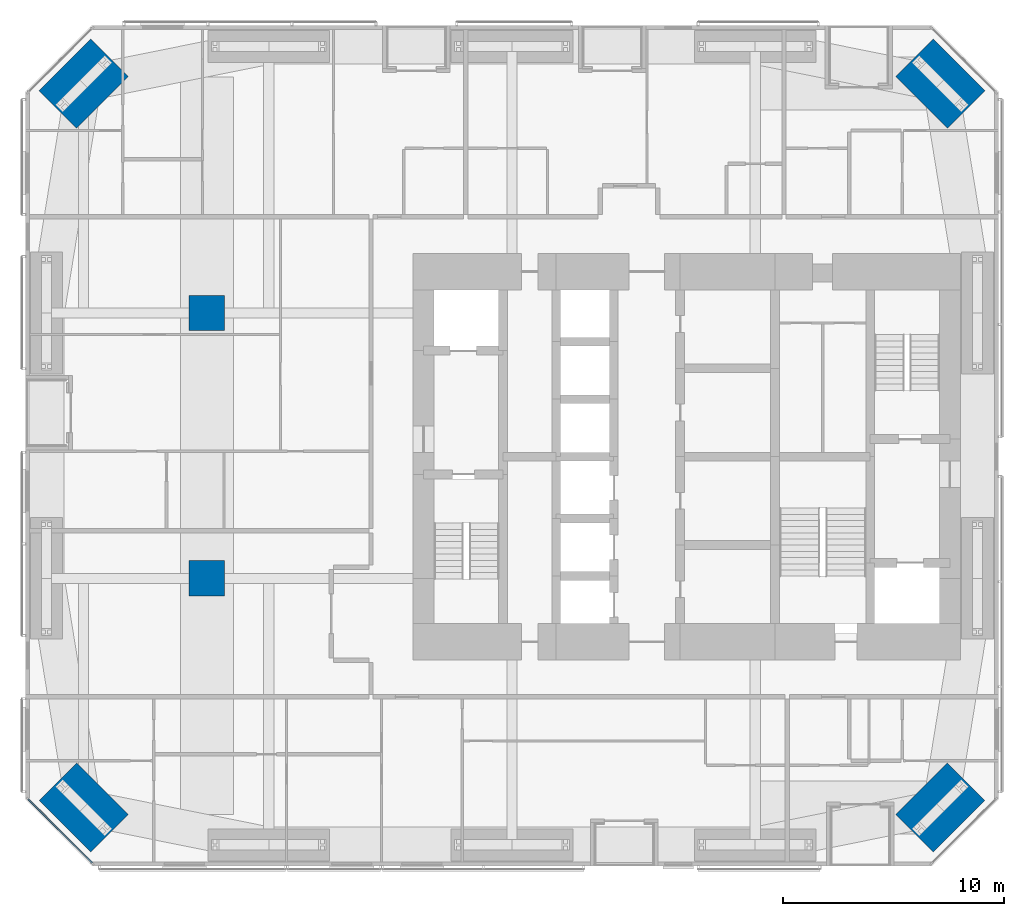
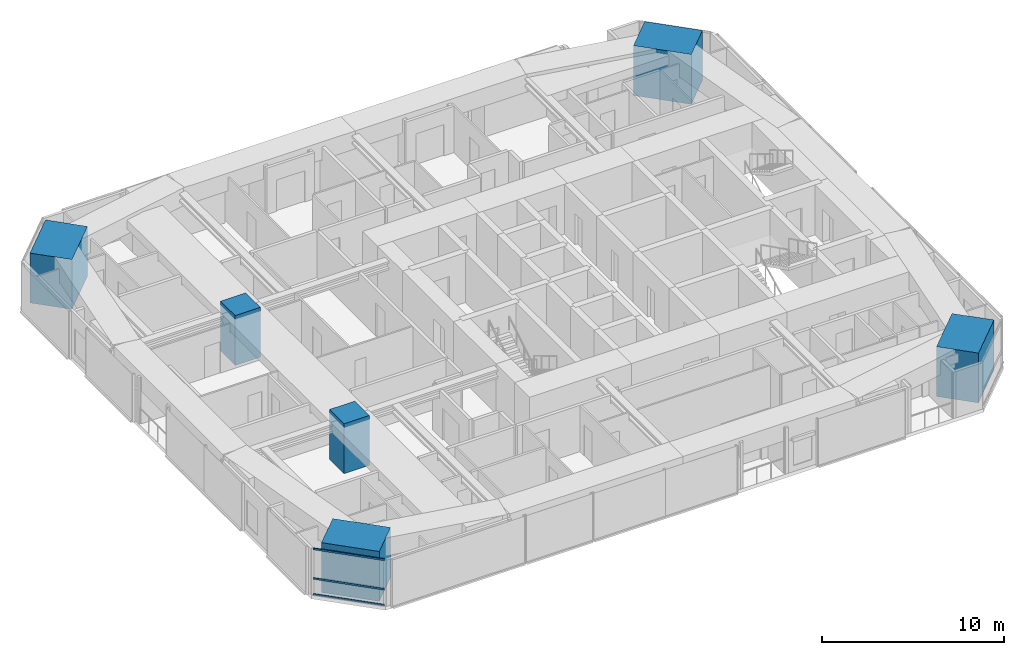
# One storey, part 1 of 24: 6 columns, 3 members, 1 element without a shape of its own.
"""IFC4 building model written with IfcOpenShell, lengths in metres."""

from ifc_helpers import new_model, si_unit, direction, frame, origin, origin_2d, place, context, subcontext, project, spatial, rectangle, extrude, material, material_profile, profile_set, type_object, element, aggregate, save


model = new_model("IFC4")

# Units and contexts
model_context = context("Model", 3, precision=1e-05, world=origin(), true_north=direction((0.0, 1.0)))
body_context = subcontext(model_context, "Body", "Model", "MODEL_VIEW")
ifc_project = project(units=[si_unit("LENGTHUNIT", "METRE"), si_unit("AREAUNIT", "SQUARE_METRE"), si_unit("VOLUMEUNIT", "CUBIC_METRE"), si_unit("PLANEANGLEUNIT", "RADIAN"), si_unit("MASSUNIT", "GRAM", prefix="KILO")], contexts=[model_context])

# Site, building, storey
site_placement = place(None, origin())
site = spatial("IfcSite", under=ifc_project, at=site_placement, CompositionType="ELEMENT")
building_placement = place(site_placement, origin())
building = spatial("IfcBuilding", under=site, at=building_placement, Name="Jalousie Tower", CompositionType="ELEMENT")
storey_placement = place(building_placement, frame((0.0, 0.0, 47.800048828125)))
storey = spatial("IfcBuildingStorey", under=building, at=storey_placement, Name="L12", CompositionType="ELEMENT", Elevation=47.800048828125)

# Columns
ifc_material_1 = material(Name="Concrete f'c 120 MPa", Category="concrete")
ifc_material_profile_1 = material_profile(ifc_material_1, rectangle(XDim=1.60009765625, YDim=1.60009765625, at=origin_2d()), Name="RC 1600x1600")
ifc_profile_set_1 = profile_set([ifc_material_profile_1], Name="Concrete f'c 120 MPa")
column_type_1 = type_object("IfcColumnType", Name="RC COLUMN 1600x1600", PredefinedType="COLUMN", material=ifc_profile_set_1)
for number, where, z_axis, x_axis, name in (
    (1, (10.199951171875, 13.0, 0.0), (0.0, 0.0, 1.0), (1.0, 0.0, 0.0), "Interior column IA1 L12"),
    (2, (10.199951171875, 25.0, 0.0), (0.0, 0.0, 1.0), (1.0, 0.0, 0.0), "Interior column IA2 L12"),
):
    element("IfcColumn", number, at=place(storey_placement, frame(where, z_axis=z_axis, x_axis=x_axis)), inside=storey, type_object=column_type_1, Name=name, PredefinedType="COLUMN", context=body_context, shape_type="SweptSolid", body=[
        extrude(rectangle(XDim=1.60009765625, YDim=1.60009765625, at=origin_2d()), origin(), (0.0, 0.0, 1.0), 3.349853515625),
    ])
ifc_material_2 = material(Name="Concrete f'c 120 MPa", Category="concrete")
ifc_material_profile_2 = material_profile(ifc_material_2, rectangle(XDim=2.39990234375, YDim=3.300048828125, at=origin_2d()), Name="RC 2400x3300")
ifc_profile_set_2 = profile_set([ifc_material_profile_2], Name="Concrete f'c 120 MPa")
column_type_2 = type_object("IfcColumnType", Name="RC CORNER COLUMN 2400x3300", PredefinedType="COLUMN", material=ifc_profile_set_2)
for number, where, z_axis, x_axis, name in (
    (3, (4.63134765625, 2.63134765625, 0.0), (0.0, 0.0, 1.0), (0.707106781187, 0.707106781187, 0.0), "Corner column 01 L12"),
    (4, (43.36865234375, 2.63134765625, 0.0), (0.0, 0.0, 1.0), (-0.707106781187, 0.707106781187, 0.0), "Corner column 05 L12"),
    (5, (43.36865234375, 35.36865234375, 0.0), (0.0, 0.0, 1.0), (-0.707106781187, -0.707106781187, 0.0), "Corner column 08 L12"),
    (6, (4.63134765625, 35.36865234375, 0.0), (0.0, 0.0, 1.0), (0.707106781187, -0.707106781187, 0.0), "Corner column 12 L12"),
):
    element("IfcColumn", number, at=place(storey_placement, frame(where, z_axis=z_axis, x_axis=x_axis)), inside=storey, type_object=column_type_2, Name=name, PredefinedType="COLUMN", context=body_context, shape_type="SweptSolid", body=[
        extrude(rectangle(XDim=2.39990234375, YDim=3.300048828125, at=origin_2d()), origin(), (0.0, 0.0, 1.0), 3.349853515625),
    ])

# Curtain wall, members
ifc_material_3 = material(Name="Aluminium curtain wall", Category="aluminium")
curtain_wall_type = type_object("IfcCurtainWallType", Name="CORNER WINDOW WALL", PredefinedType="USERDEFINED", material=ifc_material_3)
curtain_wall_placement = place(storey_placement, origin())
curtain_wall = element("IfcCurtainWall", 7, at=curtain_wall_placement, inside=storey, type_object=curtain_wall_type, Name="Corner Window Wall L12 8", ObjectType="CORNER WINDOW WALL", PredefinedType="USERDEFINED")
ifc_material_4 = material(Name="Aluminium transom", Category="aluminium")
ifc_material_profile_3 = material_profile(ifc_material_4, rectangle(XDim=0.06005859375, YDim=0.1201171875, at=origin_2d()), Name="TRANSOM 60x120")
ifc_profile_set_3 = profile_set([ifc_material_profile_3], Name="Aluminium transom")
member_type = type_object("IfcMemberType", Name="CORNER WINDOW WALL TRANSOM", PredefinedType="USERDEFINED", material=ifc_profile_set_3)
member_1_placement = place(storey_placement, frame((2.1298828125, 3.0087890625, 0.030029296875), z_axis=(0.707106781187, -0.707106781187, 0.0), x_axis=(0.707106781187, 0.707106781187, 0.0)))
member_1 = element("IfcMember", 8, at=member_1_placement, type_object=member_type, Name="CW-C transom 1.1", ObjectType="TRANSOM", PredefinedType="USERDEFINED", context=body_context, shape_type="SweptSolid", body=[
    extrude(rectangle(XDim=0.06005859375, YDim=0.1201171875, at=origin_2d()), origin(), (0.0, 0.0, 1.0), 4.0712890625),
])
member_2_placement = place(storey_placement, frame((2.1298828125, 3.0087890625, 1.099853515625), z_axis=(0.707106781187, -0.707106781187, 0.0), x_axis=(0.707106781187, 0.707106781187, 0.0)))
member_2 = element("IfcMember", 9, at=member_2_placement, type_object=member_type, Name="CW-C transom 1.2", ObjectType="TRANSOM", PredefinedType="USERDEFINED", context=body_context, shape_type="SweptSolid", body=[
    extrude(rectangle(XDim=0.06005859375, YDim=0.1201171875, at=origin_2d()), origin(), (0.0, 0.0, 1.0), 4.0712890625),
])
member_3_placement = place(storey_placement, frame((2.1298828125, 3.0087890625, 3.079833984375), z_axis=(0.707106781187, -0.707106781187, 0.0), x_axis=(0.707106781187, 0.707106781187, 0.0)))
member_3 = element("IfcMember", 10, at=member_3_placement, type_object=member_type, Name="CW-C transom 1.3", ObjectType="TRANSOM", PredefinedType="USERDEFINED", context=body_context, shape_type="SweptSolid", body=[
    extrude(rectangle(XDim=0.06005859375, YDim=0.1201171875, at=origin_2d()), origin(), (0.0, 0.0, 1.0), 4.0712890625),
])
aggregate(curtain_wall, [member_1, member_2, member_3])

save(model, "model.ifc")
